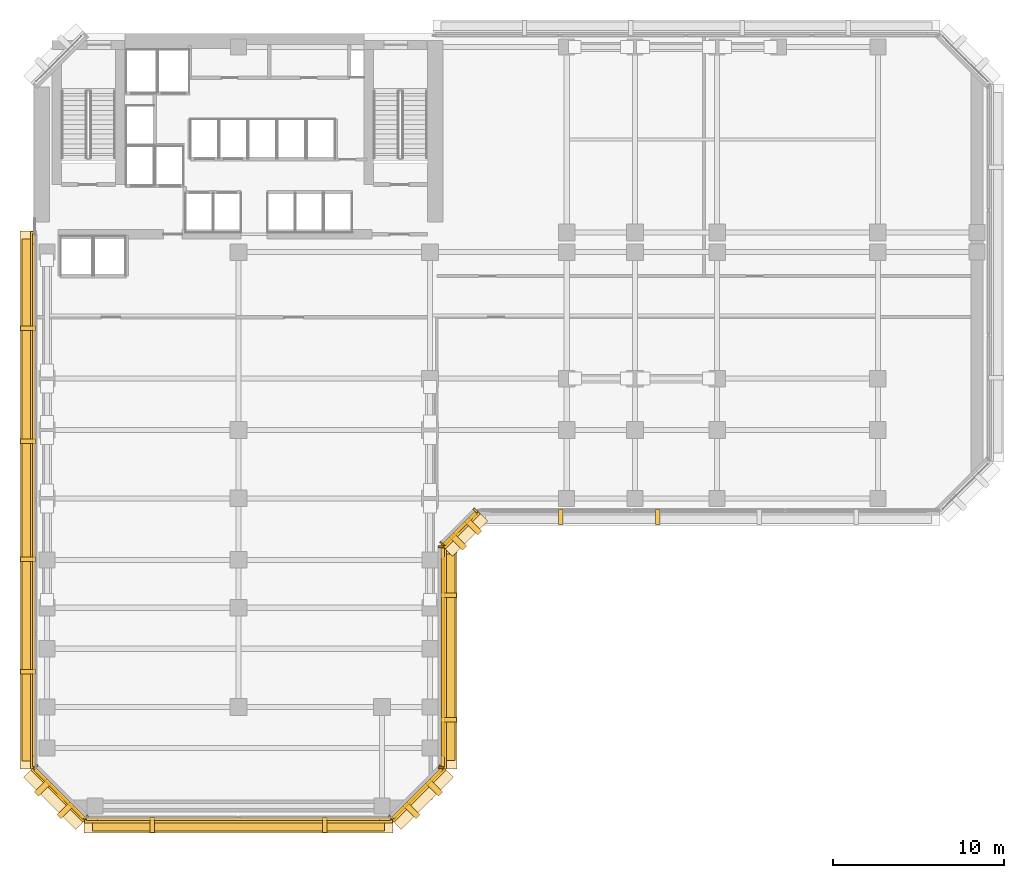
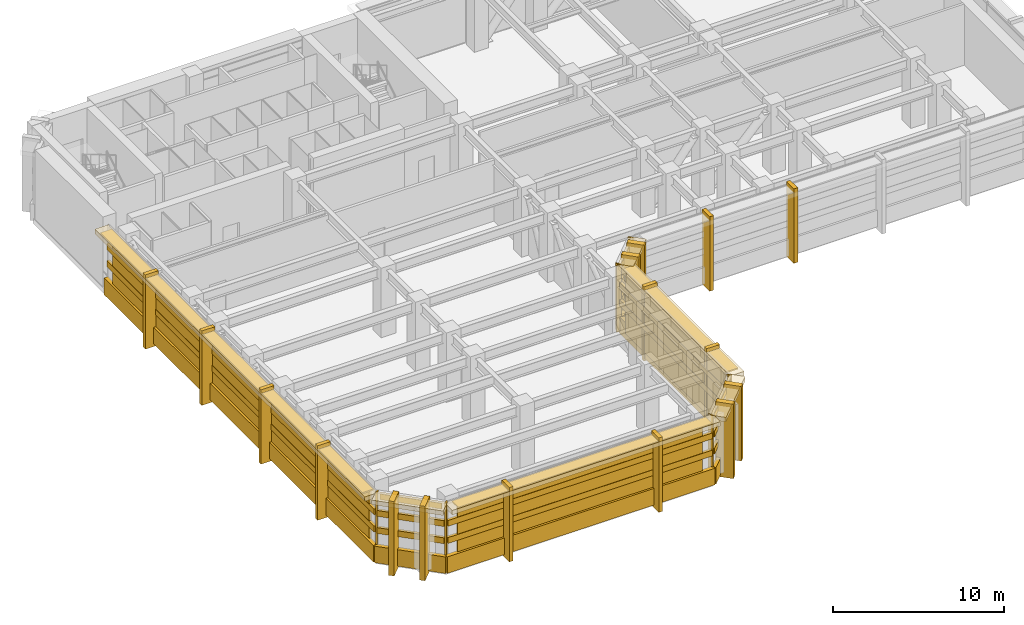
# One storey, part 9 of 13: 52 coverings, 6 shading devices.
"""IFC4 building model written with IfcOpenShell, lengths in metres."""

from ifc_helpers import new_model, si_unit, direction, frame, origin, origin_2d, place, context, subcontext, project, spatial, rectangle, extrude, material, layer, layer_set, type_object, element, save


model = new_model("IFC4")

# Units and contexts
model_context = context("Model", 3, precision=1e-05, world=origin(), true_north=direction((0.0, 1.0)))
body_context = subcontext(model_context, "Body", "Model", "MODEL_VIEW")
ifc_project = project(units=[si_unit("LENGTHUNIT", "METRE"), si_unit("AREAUNIT", "SQUARE_METRE"), si_unit("VOLUMEUNIT", "CUBIC_METRE"), si_unit("PLANEANGLEUNIT", "RADIAN"), si_unit("MASSUNIT", "GRAM", prefix="KILO")], contexts=[model_context])

# Site, building, storey
site_placement = place(None, origin())
site = spatial("IfcSite", under=ifc_project, at=site_placement, CompositionType="ELEMENT")
building_placement = place(site_placement, origin())
building = spatial("IfcBuilding", under=site, at=building_placement, Name="Kefirva Bronze Tower", CompositionType="ELEMENT")
storey_placement = place(building_placement, frame((0.0, 0.0, 93.719970703125)))
storey = spatial("IfcBuildingStorey", under=building, at=storey_placement, Name="L22", CompositionType="ELEMENT", Elevation=93.719970703125)

# Coverings
ifc_material = material(Name="Bronze anodised aluminium", Category="aluminium")
ifc_layer_1 = layer(ifc_material, 0.02001953125, Name="Bronze anodised aluminium")
ifc_layer_set_1 = layer_set([ifc_layer_1], Name="Bronze anodised aluminium")
covering_type_1 = type_object("IfcCoveringType", Name="Anodised Bronze Spandrel Cladding 20mm", PredefinedType="CLADDING", material=ifc_layer_set_1)
covering_1_placement = place(storey_placement, frame((12.0, -0.0400390625, -0.16015625), z_axis=(0.0, 0.0, 1.0), x_axis=(1.0, 0.0, 0.0)))
element("IfcCovering", 1, at=covering_1_placement, inside=storey, type_object=covering_type_1, Name="L22 Streamline Horizontal Spandrel Band 0", PredefinedType="CLADDING", context=body_context, shape_type="SweptSolid", body=[
    extrude(rectangle(XDim=18.0400390625, YDim=0.280029296875, at=origin_2d()), origin(), (0.0, 0.0, 1.0), 1.179931640625),
])
for number, where, z_axis, x_axis, name in (
    (2, (12.0, 0.0400390625, 1.858154296875), (0.0, 0.0, 1.0), (1.0, 0.0, 0.0), "L22 Recessed Zone-Break Bronze Louvre Band 0-1"),
    (3, (12.0, 0.0400390625, 3.080078125), (0.0, 0.0, 1.0), (1.0, 0.0, 0.0), "L22 Recessed Zone-Break Bronze Louvre Band 0-2"),
):
    element("IfcCovering", number, at=place(storey_placement, frame(where, z_axis=z_axis, x_axis=x_axis)), inside=storey, type_object=covering_type_1, Name=name, PredefinedType="CLADDING", context=body_context, shape_type="SweptSolid", body=[
        extrude(rectangle(XDim=17.800048828125, YDim=0.199951171875, at=origin_2d()), origin(), (0.0, 0.0, 1.0), 0.419921875),
    ])
covering_2_placement = place(storey_placement, frame((22.507080078125, 1.492919921875, 4.280029296875), z_axis=(0.0, 0.0, 1.0), x_axis=(0.707106781187, 0.707106781187, 0.0)))
element("IfcCovering", 4, at=covering_2_placement, inside=storey, type_object=covering_type_1, Name="L22 Bronze Spandrel Cladding 1", PredefinedType="CLADDING", context=body_context, shape_type="SweptSolid", body=[
    extrude(rectangle(XDim=3.719482421875, YDim=0.02001953125, at=origin_2d()), origin(), (0.0, 0.0, 1.0), 0.39990234375),
])
for number, where, z_axis, x_axis, name in (
    (5, (20.91162109375, 0.137939453125, 0.0), (0.0, 0.0, 1.0), (0.707106781187, 0.707106781187, 0.0), "L22 Facade Joint Closure Panel 1S"),
    (6, (23.862060546875, 3.08837890625, 0.0), (0.0, 0.0, 1.0), (0.707106781187, 0.707106781187, 0.0), "L22 Facade Joint Closure Panel 1E"),
):
    element("IfcCovering", number, at=place(storey_placement, frame(where, z_axis=z_axis, x_axis=x_axis)), inside=storey, type_object=covering_type_1, Name=name, PredefinedType="CLADDING", context=body_context, shape_type="SweptSolid", body=[
        extrude(rectangle(XDim=0.10009765625, YDim=0.320068359375, at=origin_2d()), origin(), (0.0, 0.0, 1.0), 4.699951171875),
    ])
covering_3_placement = place(storey_placement, frame((22.5283203125, 1.4716796875, -0.16015625), z_axis=(0.0, 0.0, 1.0), x_axis=(0.707106781187, 0.707106781187, 0.0)))
element("IfcCovering", 7, at=covering_3_placement, inside=storey, type_object=covering_type_1, Name="L22 Streamline Horizontal Spandrel Band 1", PredefinedType="CLADDING", context=body_context, shape_type="SweptSolid", body=[
    extrude(rectangle(XDim=4.28271484375, YDim=0.280029296875, at=origin_2d()), origin(), (0.0, 0.0, 1.0), 1.179931640625),
])
for number, where, z_axis, x_axis, name in (
    (8, (22.4716796875, 1.5283203125, 1.858154296875), (0.0, 0.0, 1.0), (0.707106781187, 0.707106781187, 0.0), "L22 Recessed Zone-Break Bronze Louvre Band 1-1"),
    (9, (22.4716796875, 1.5283203125, 3.080078125), (0.0, 0.0, 1.0), (0.707106781187, 0.707106781187, 0.0), "L22 Recessed Zone-Break Bronze Louvre Band 1-2"),
):
    element("IfcCovering", number, at=place(storey_placement, frame(where, z_axis=z_axis, x_axis=x_axis)), inside=storey, type_object=covering_type_1, Name=name, PredefinedType="CLADDING", context=body_context, shape_type="SweptSolid", body=[
        extrude(rectangle(XDim=4.04248046875, YDim=0.199951171875, at=origin_2d()), origin(), (0.0, 0.0, 1.0), 0.419921875),
    ])
covering_4_placement = place(storey_placement, frame((24.010009765625, 9.5, 4.280029296875), z_axis=(0.0, 0.0, 1.0), x_axis=(0.0, 1.0, 0.0)))
element("IfcCovering", 10, at=covering_4_placement, inside=storey, type_object=covering_type_1, Name="L22 Bronze Spandrel Cladding 2", PredefinedType="CLADDING", context=body_context, shape_type="SweptSolid", body=[
    extrude(rectangle(XDim=11.60107421875, YDim=0.02001953125, at=origin_2d()), origin(), (0.0, 0.0, 1.0), 0.39990234375),
])
for number, where, z_axis, x_axis, name in (
    (11, (23.840087890625, 3.034912109375, 0.0), (0.0, 0.0, 1.0), (0.0, 1.0, 0.0), "L22 Facade Joint Closure Panel 2S"),
    (12, (23.840087890625, 15.965087890625, 0.0), (0.0, 0.0, 1.0), (0.0, 1.0, 0.0), "L22 Facade Joint Closure Panel 2E"),
):
    element("IfcCovering", number, at=place(storey_placement, frame(where, z_axis=z_axis, x_axis=x_axis)), inside=storey, type_object=covering_type_1, Name=name, PredefinedType="CLADDING", context=body_context, shape_type="SweptSolid", body=[
        extrude(rectangle(XDim=0.10009765625, YDim=0.320068359375, at=origin_2d()), origin(), (0.0, 0.0, 1.0), 4.699951171875),
    ])
covering_5_placement = place(storey_placement, frame((24.0400390625, 9.5, -0.16015625), z_axis=(0.0, 0.0, 1.0), x_axis=(0.0, 1.0, 0.0)))
element("IfcCovering", 13, at=covering_5_placement, inside=storey, type_object=covering_type_1, Name="L22 Streamline Horizontal Spandrel Band 2", PredefinedType="CLADDING", context=body_context, shape_type="SweptSolid", body=[
    extrude(rectangle(XDim=13.0400390625, YDim=0.280029296875, at=origin_2d()), origin(), (0.0, 0.0, 1.0), 1.179931640625),
])
for number, where, z_axis, x_axis, name in (
    (14, (23.9599609375, 9.5, 1.858154296875), (0.0, 0.0, 1.0), (0.0, 1.0, 0.0), "L22 Recessed Zone-Break Bronze Louvre Band 2-1"),
    (15, (23.9599609375, 9.5, 3.080078125), (0.0, 0.0, 1.0), (0.0, 1.0, 0.0), "L22 Recessed Zone-Break Bronze Louvre Band 2-2"),
):
    element("IfcCovering", number, at=place(storey_placement, frame(where, z_axis=z_axis, x_axis=x_axis)), inside=storey, type_object=covering_type_1, Name=name, PredefinedType="CLADDING", context=body_context, shape_type="SweptSolid", body=[
        extrude(rectangle(XDim=12.800048828125, YDim=0.199951171875, at=origin_2d()), origin(), (0.0, 0.0, 1.0), 0.419921875),
    ])
covering_6_placement = place(storey_placement, frame((25.007080078125, 16.992919921875, 4.280029296875), z_axis=(0.0, 0.0, 1.0), x_axis=(0.707106781187, 0.707106781187, 0.0)))
element("IfcCovering", 16, at=covering_6_placement, inside=storey, type_object=covering_type_1, Name="L22 Bronze Spandrel Cladding 3", PredefinedType="CLADDING", context=body_context, shape_type="SweptSolid", body=[
    extrude(rectangle(XDim=2.446533203125, YDim=0.02001953125, at=origin_2d()), origin(), (0.0, 0.0, 1.0), 0.39990234375),
])
for number, where, z_axis, x_axis, name in (
    (17, (23.91162109375, 16.137939453125, 0.0), (0.0, 0.0, 1.0), (0.707106781187, 0.707106781187, 0.0), "L22 Facade Joint Closure Panel 3S"),
    (18, (25.862060546875, 18.08837890625, 0.0), (0.0, 0.0, 1.0), (0.707106781187, 0.707106781187, 0.0), "L22 Facade Joint Closure Panel 3E"),
):
    element("IfcCovering", number, at=place(storey_placement, frame(where, z_axis=z_axis, x_axis=x_axis)), inside=storey, type_object=covering_type_1, Name=name, PredefinedType="CLADDING", context=body_context, shape_type="SweptSolid", body=[
        extrude(rectangle(XDim=0.10009765625, YDim=0.320068359375, at=origin_2d()), origin(), (0.0, 0.0, 1.0), 4.699951171875),
    ])
covering_7_placement = place(storey_placement, frame((25.0283203125, 16.9716796875, -0.16015625), z_axis=(0.0, 0.0, 1.0), x_axis=(0.707106781187, 0.707106781187, 0.0)))
element("IfcCovering", 19, at=covering_7_placement, inside=storey, type_object=covering_type_1, Name="L22 Streamline Horizontal Spandrel Band 3", PredefinedType="CLADDING", context=body_context, shape_type="SweptSolid", body=[
    extrude(rectangle(XDim=2.868408203125, YDim=0.280029296875, at=origin_2d()), origin(), (0.0, 0.0, 1.0), 1.179931640625),
])
for number, where, z_axis, x_axis, name in (
    (20, (24.9716796875, 17.0283203125, 1.858154296875), (0.0, 0.0, 1.0), (0.707106781187, 0.707106781187, 0.0), "L22 Recessed Zone-Break Bronze Louvre Band 3-1"),
    (21, (24.9716796875, 17.0283203125, 3.080078125), (0.0, 0.0, 1.0), (0.707106781187, 0.707106781187, 0.0), "L22 Recessed Zone-Break Bronze Louvre Band 3-2"),
):
    element("IfcCovering", number, at=place(storey_placement, frame(where, z_axis=z_axis, x_axis=x_axis)), inside=storey, type_object=covering_type_1, Name=name, PredefinedType="CLADDING", context=body_context, shape_type="SweptSolid", body=[
        extrude(rectangle(XDim=2.62841796875, YDim=0.199951171875, at=origin_2d()), origin(), (0.0, 0.0, 1.0), 0.419921875),
    ])
covering_8_placement = place(storey_placement, frame((-0.0400390625, 18.697509765625, -0.16015625), z_axis=(0.0, 0.0, 1.0), x_axis=(0.0, -1.0, 0.0)))
element("IfcCovering", 22, at=covering_8_placement, inside=storey, type_object=covering_type_1, Name="L22 Streamline Horizontal Spandrel Band 10", PredefinedType="CLADDING", context=body_context, shape_type="SweptSolid", body=[
    extrude(rectangle(XDim=31.43505859375, YDim=0.280029296875, at=origin_2d()), origin(), (0.0, 0.0, 1.0), 1.179931640625),
])
for number, where, z_axis, x_axis, name in (
    (23, (0.0400390625, 18.697509765625, 1.858154296875), (0.0, 0.0, 1.0), (0.0, -1.0, 0.0), "L22 Recessed Zone-Break Bronze Louvre Band 10-1"),
    (24, (0.0400390625, 18.697509765625, 3.080078125), (0.0, 0.0, 1.0), (0.0, -1.0, 0.0), "L22 Recessed Zone-Break Bronze Louvre Band 10-2"),
):
    element("IfcCovering", number, at=place(storey_placement, frame(where, z_axis=z_axis, x_axis=x_axis)), inside=storey, type_object=covering_type_1, Name=name, PredefinedType="CLADDING", context=body_context, shape_type="SweptSolid", body=[
        extrude(rectangle(XDim=31.195068359375, YDim=0.199951171875, at=origin_2d()), origin(), (0.0, 0.0, 1.0), 0.419921875),
    ])
covering_9_placement = place(storey_placement, frame((1.492919921875, 1.492919921875, 4.280029296875), z_axis=(0.0, 0.0, 1.0), x_axis=(0.707106781187, -0.707106781187, 0.0)))
element("IfcCovering", 25, at=covering_9_placement, inside=storey, type_object=covering_type_1, Name="L22 Bronze Spandrel Cladding 7", PredefinedType="CLADDING", context=body_context, shape_type="SweptSolid", body=[
    extrude(rectangle(XDim=3.719482421875, YDim=0.02001953125, at=origin_2d()), origin(), (0.0, 0.0, 1.0), 0.39990234375),
])
for number, where, z_axis, x_axis, name in (
    (26, (0.137939453125, 3.08837890625, 0.0), (0.0, 0.0, 1.0), (0.707106781187, -0.707106781187, 0.0), "L22 Facade Joint Closure Panel 7S"),
    (27, (3.08837890625, 0.137939453125, 0.0), (0.0, 0.0, 1.0), (0.707106781187, -0.707106781187, 0.0), "L22 Facade Joint Closure Panel 7E"),
):
    element("IfcCovering", number, at=place(storey_placement, frame(where, z_axis=z_axis, x_axis=x_axis)), inside=storey, type_object=covering_type_1, Name=name, PredefinedType="CLADDING", context=body_context, shape_type="SweptSolid", body=[
        extrude(rectangle(XDim=0.10009765625, YDim=0.320068359375, at=origin_2d()), origin(), (0.0, 0.0, 1.0), 4.699951171875),
    ])
covering_10_placement = place(storey_placement, frame((1.4716796875, 1.4716796875, -0.16015625), z_axis=(0.0, 0.0, 1.0), x_axis=(0.707106781187, -0.707106781187, 0.0)))
element("IfcCovering", 28, at=covering_10_placement, inside=storey, type_object=covering_type_1, Name="L22 Streamline Horizontal Spandrel Band 11", PredefinedType="CLADDING", context=body_context, shape_type="SweptSolid", body=[
    extrude(rectangle(XDim=4.28271484375, YDim=0.280029296875, at=origin_2d()), origin(), (0.0, 0.0, 1.0), 1.179931640625),
])
for number, where, z_axis, x_axis, name in (
    (29, (1.5283203125, 1.5283203125, 1.858154296875), (0.0, 0.0, 1.0), (0.707106781187, -0.707106781187, 0.0), "L22 Recessed Zone-Break Bronze Louvre Band 11-1"),
    (30, (1.5283203125, 1.5283203125, 3.080078125), (0.0, 0.0, 1.0), (0.707106781187, -0.707106781187, 0.0), "L22 Recessed Zone-Break Bronze Louvre Band 11-2"),
):
    element("IfcCovering", number, at=place(storey_placement, frame(where, z_axis=z_axis, x_axis=x_axis)), inside=storey, type_object=covering_type_1, Name=name, PredefinedType="CLADDING", context=body_context, shape_type="SweptSolid", body=[
        extrude(rectangle(XDim=4.04248046875, YDim=0.199951171875, at=origin_2d()), origin(), (0.0, 0.0, 1.0), 0.419921875),
    ])

# Shading devices
ifc_layer_2 = layer(ifc_material, 0.090087890625, Name="Bronze anodised aluminium")
ifc_layer_set_2 = layer_set([ifc_layer_2], Name="Bronze anodised aluminium")
shading_device_type_1 = type_object("IfcShadingDeviceType", Name="Horizontal Bronze Sunshade Band 750mm", PredefinedType="JALOUSIE", material=ifc_layer_set_2)
shading_device_1_placement = place(storey_placement, frame((12.0, -0.294921875, 4.59521484375), z_axis=(0.0, 0.0, 1.0), x_axis=(1.0, 0.0, 0.0)))
element("IfcShadingDevice", 31, at=shading_device_1_placement, inside=storey, type_object=shading_device_type_1, Name="L22 Horizontal Bronze Sunshade Band 0", PredefinedType="JALOUSIE", context=body_context, shape_type="SweptSolid", body=[
    extrude(rectangle(XDim=17.090087890625, YDim=0.75, at=origin_2d()), origin(), (0.0, 0.0, 1.0), 0.090087890625),
])
shading_device_2_placement = place(storey_placement, frame((24.294921875, 9.5, 4.59521484375), z_axis=(0.0, 0.0, 1.0), x_axis=(0.0, 1.0, 0.0)))
element("IfcShadingDevice", 32, at=shading_device_2_placement, inside=storey, type_object=shading_device_type_1, Name="L22 Horizontal Bronze Sunshade Band 2", PredefinedType="JALOUSIE", context=body_context, shape_type="SweptSolid", body=[
    extrude(rectangle(XDim=12.090087890625, YDim=0.75, at=origin_2d()), origin(), (0.0, 0.0, 1.0), 0.090087890625),
])
shading_device_3_placement = place(storey_placement, frame((-0.294921875, 18.697509765625, 4.59521484375), z_axis=(0.0, 0.0, 1.0), x_axis=(0.0, -1.0, 0.0)))
element("IfcShadingDevice", 33, at=shading_device_3_placement, inside=storey, type_object=shading_device_type_1, Name="L22 Horizontal Bronze Sunshade Band 10", PredefinedType="JALOUSIE", context=body_context, shape_type="SweptSolid", body=[
    extrude(rectangle(XDim=30.5400390625, YDim=0.75, at=origin_2d()), origin(), (0.0, 0.0, 1.0), 0.090087890625),
])
ifc_layer_3 = layer(ifc_material, 0.159912109375, Name="Bronze anodised aluminium")
ifc_layer_set_3 = layer_set([ifc_layer_3], Name="Bronze anodised aluminium")
shading_device_type_2 = type_object("IfcShadingDeviceType", Name="Recessed Zone-Break Acoustic Louvre Screen", PredefinedType="SHUTTER", material=ifc_layer_set_3)
shading_device_4_placement = place(storey_placement, frame((12.0, 0.0400390625, 0.25), z_axis=(0.0, 0.0, 1.0), x_axis=(1.0, 0.0, 0.0)))
element("IfcShadingDevice", 34, at=shading_device_4_placement, inside=storey, type_object=shading_device_type_2, Name="L22 Acoustic Plant Louvre Screen 0", PredefinedType="SHUTTER", context=body_context, shape_type="SweptSolid", body=[
    extrude(rectangle(XDim=16.489990234375, YDim=0.159912109375, at=origin_2d()), origin(), (0.0, 0.0, 1.0), 4.199951171875),
])
shading_device_5_placement = place(storey_placement, frame((23.9599609375, 9.5, 0.25), z_axis=(0.0, 0.0, 1.0), x_axis=(0.0, 1.0, 0.0)))
element("IfcShadingDevice", 35, at=shading_device_5_placement, inside=storey, type_object=shading_device_type_2, Name="L22 Acoustic Plant Louvre Screen 2", PredefinedType="SHUTTER", context=body_context, shape_type="SweptSolid", body=[
    extrude(rectangle(XDim=11.489990234375, YDim=0.159912109375, at=origin_2d()), origin(), (0.0, 0.0, 1.0), 4.199951171875),
])
shading_device_6_placement = place(storey_placement, frame((0.0400390625, 18.697509765625, 0.25), z_axis=(0.0, 0.0, 1.0), x_axis=(0.0, -1.0, 0.0)))
element("IfcShadingDevice", 36, at=shading_device_6_placement, inside=storey, type_object=shading_device_type_2, Name="L22 Acoustic Plant Louvre Screen 10", PredefinedType="SHUTTER", context=body_context, shape_type="SweptSolid", body=[
    extrude(rectangle(XDim=29.93994140625, YDim=0.159912109375, at=origin_2d()), origin(), (0.0, 0.0, 1.0), 4.199951171875),
])

# Coverings
ifc_layer_4 = layer(ifc_material, 0.179931640625, Name="Bronze anodised aluminium")
ifc_layer_set_4 = layer_set([ifc_layer_4], Name="Bronze anodised aluminium")
covering_type_2 = type_object("IfcCoveringType", Name="Streamline Bronze Sunshade Eyebrow Cladding 180mm", PredefinedType="CLADDING", material=ifc_layer_set_4)
covering_11_placement = place(storey_placement, frame((12.0, -0.31005859375, 4.3798828125), z_axis=(0.0, 0.0, 1.0), x_axis=(1.0, 0.0, 0.0)))
element("IfcCovering", 37, at=covering_11_placement, inside=storey, type_object=covering_type_2, Name="L22 Streamline Bronze Sunshade Eyebrow 0", PredefinedType="CLADDING", context=body_context, shape_type="SweptSolid", body=[
    extrude(rectangle(XDim=18.080078125, YDim=0.93994140625, at=origin_2d()), origin(), (0.0, 0.0, 1.0), 0.320068359375),
])
covering_12_placement = place(storey_placement, frame((22.71923828125, 1.28076171875, 4.3798828125), z_axis=(0.0, 0.0, 1.0), x_axis=(0.707106781187, 0.707106781187, 0.0)))
element("IfcCovering", 38, at=covering_12_placement, inside=storey, type_object=covering_type_2, Name="L22 Streamline Bronze Sunshade Eyebrow 1", PredefinedType="CLADDING", context=body_context, shape_type="SweptSolid", body=[
    extrude(rectangle(XDim=4.322509765625, YDim=0.93994140625, at=origin_2d()), origin(), (0.0, 0.0, 1.0), 0.320068359375),
])
covering_13_placement = place(storey_placement, frame((24.31005859375, 9.5, 4.3798828125), z_axis=(0.0, 0.0, 1.0), x_axis=(0.0, 1.0, 0.0)))
element("IfcCovering", 39, at=covering_13_placement, inside=storey, type_object=covering_type_2, Name="L22 Streamline Bronze Sunshade Eyebrow 2", PredefinedType="CLADDING", context=body_context, shape_type="SweptSolid", body=[
    extrude(rectangle(XDim=13.080078125, YDim=0.93994140625, at=origin_2d()), origin(), (0.0, 0.0, 1.0), 0.320068359375),
])
covering_14_placement = place(storey_placement, frame((25.21923828125, 16.78076171875, 4.3798828125), z_axis=(0.0, 0.0, 1.0), x_axis=(0.707106781187, 0.707106781187, 0.0)))
element("IfcCovering", 40, at=covering_14_placement, inside=storey, type_object=covering_type_2, Name="L22 Streamline Bronze Sunshade Eyebrow 3", PredefinedType="CLADDING", context=body_context, shape_type="SweptSolid", body=[
    extrude(rectangle(XDim=2.908447265625, YDim=0.93994140625, at=origin_2d()), origin(), (0.0, 0.0, 1.0), 0.320068359375),
])
covering_15_placement = place(storey_placement, frame((-0.31005859375, 18.697509765625, 4.3798828125), z_axis=(0.0, 0.0, 1.0), x_axis=(0.0, -1.0, 0.0)))
element("IfcCovering", 41, at=covering_15_placement, inside=storey, type_object=covering_type_2, Name="L22 Streamline Bronze Sunshade Eyebrow 10", PredefinedType="CLADDING", context=body_context, shape_type="SweptSolid", body=[
    extrude(rectangle(XDim=31.47509765625, YDim=0.93994140625, at=origin_2d()), origin(), (0.0, 0.0, 1.0), 0.320068359375),
])
covering_16_placement = place(storey_placement, frame((1.28076171875, 1.28076171875, 4.3798828125), z_axis=(0.0, 0.0, 1.0), x_axis=(0.707106781187, -0.707106781187, 0.0)))
element("IfcCovering", 42, at=covering_16_placement, inside=storey, type_object=covering_type_2, Name="L22 Streamline Bronze Sunshade Eyebrow 11", PredefinedType="CLADDING", context=body_context, shape_type="SweptSolid", body=[
    extrude(rectangle(XDim=4.322509765625, YDim=0.93994140625, at=origin_2d()), origin(), (0.0, 0.0, 1.0), 0.320068359375),
])
ifc_layer_5 = layer(ifc_material, 0.260009765625, Name="Bronze anodised aluminium")
ifc_layer_set_5 = layer_set([ifc_layer_5], Name="Bronze anodised aluminium")
covering_type_3 = type_object("IfcCoveringType", Name="Unbroken Bronze Buttress Fin Cladding 260mm", PredefinedType="CLADDING", material=ifc_layer_set_5)
for number, where, z_axis, x_axis, name in (
    (43, (6.9599609375, -0.300048828125, -0.35009765625), (0.0, 0.0, 1.0), (1.0, 0.0, 0.0), "L22 Unbroken Vertical Bronze Rib Fin 1"),
    (44, (17.0400390625, -0.300048828125, -0.35009765625), (0.0, 0.0, 1.0), (1.0, 0.0, 0.0), "L22 Unbroken Vertical Bronze Rib Fin 2"),
):
    element("IfcCovering", number, at=place(storey_placement, frame(where, z_axis=z_axis, x_axis=x_axis)), inside=storey, type_object=covering_type_3, Name=name, PredefinedType="CLADDING", context=body_context, shape_type="SweptSolid", body=[
        extrude(rectangle(XDim=0.260009765625, YDim=0.8798828125, at=origin_2d()), origin(), (0.0, 0.0, 1.0), 5.300048828125),
    ])
for number, where, z_axis, x_axis, name in (
    (45, (22.122802734375, 0.55712890625, -0.35009765625), (0.0, 0.0, 1.0), (0.707106781187, 0.707106781187, 0.0), "L22 Chamfered Corner Buttress Fin Cladding 3"),
    (46, (23.44287109375, 1.877197265625, -0.35009765625), (0.0, 0.0, 1.0), (0.707106781187, 0.707106781187, 0.0), "L22 Chamfered Corner Buttress Fin Cladding 4"),
):
    element("IfcCovering", number, at=place(storey_placement, frame(where, z_axis=z_axis, x_axis=x_axis)), inside=storey, type_object=covering_type_3, Name=name, PredefinedType="CLADDING", context=body_context, shape_type="SweptSolid", body=[
        extrude(rectangle(XDim=0.340087890625, YDim=1.080078125, at=origin_2d()), origin(), (0.0, 0.0, 1.0), 5.300048828125),
    ])
for number, where, z_axis, x_axis, name in (
    (47, (24.300048828125, 5.860107421875, -0.35009765625), (0.0, 0.0, 1.0), (0.0, 1.0, 0.0), "L22 Unbroken Vertical Bronze Rib Fin 5"),
    (48, (24.300048828125, 13.139892578125, -0.35009765625), (0.0, 0.0, 1.0), (0.0, 1.0, 0.0), "L22 Unbroken Vertical Bronze Rib Fin 6"),
):
    element("IfcCovering", number, at=place(storey_placement, frame(where, z_axis=z_axis, x_axis=x_axis)), inside=storey, type_object=covering_type_3, Name=name, PredefinedType="CLADDING", context=body_context, shape_type="SweptSolid", body=[
        extrude(rectangle(XDim=0.260009765625, YDim=0.8798828125, at=origin_2d()), origin(), (0.0, 0.0, 1.0), 5.300048828125),
    ])
for number, where, z_axis, x_axis, name in (
    (49, (24.8427734375, 16.277099609375, -0.35009765625), (0.0, 0.0, 1.0), (0.707106781187, 0.707106781187, 0.0), "L22 Chamfered Corner Buttress Fin Cladding 7"),
    (50, (25.722900390625, 17.1572265625, -0.35009765625), (0.0, 0.0, 1.0), (0.707106781187, 0.707106781187, 0.0), "L22 Chamfered Corner Buttress Fin Cladding 8"),
):
    element("IfcCovering", number, at=place(storey_placement, frame(where, z_axis=z_axis, x_axis=x_axis)), inside=storey, type_object=covering_type_3, Name=name, PredefinedType="CLADDING", context=body_context, shape_type="SweptSolid", body=[
        extrude(rectangle(XDim=0.340087890625, YDim=1.080078125, at=origin_2d()), origin(), (0.0, 0.0, 1.0), 5.300048828125),
    ])
for number, where, z_axis, x_axis, name in (
    (51, (30.860107421875, 17.699951171875, -0.35009765625), (0.0, 0.0, 1.0), (1.0, 0.0, 0.0), "L22 Unbroken Vertical Bronze Rib Fin 9"),
    (52, (36.530029296875, 17.699951171875, -0.35009765625), (0.0, 0.0, 1.0), (1.0, 0.0, 0.0), "L22 Unbroken Vertical Bronze Rib Fin 10"),
    (53, (-0.300048828125, 28.743896484375, -0.35009765625), (0.0, 0.0, 1.0), (0.0, -1.0, 0.0), "L22 Unbroken Vertical Bronze Rib Fin 25"),
    (54, (-0.300048828125, 22.15087890625, -0.35009765625), (0.0, 0.0, 1.0), (0.0, -1.0, 0.0), "L22 Unbroken Vertical Bronze Rib Fin 26"),
    (55, (-0.300048828125, 15.244140625, -0.35009765625), (0.0, 0.0, 1.0), (0.0, -1.0, 0.0), "L22 Unbroken Vertical Bronze Rib Fin 27"),
    (56, (-0.300048828125, 8.651123046875, -0.35009765625), (0.0, 0.0, 1.0), (0.0, -1.0, 0.0), "L22 Unbroken Vertical Bronze Rib Fin 28"),
):
    element("IfcCovering", number, at=place(storey_placement, frame(where, z_axis=z_axis, x_axis=x_axis)), inside=storey, type_object=covering_type_3, Name=name, PredefinedType="CLADDING", context=body_context, shape_type="SweptSolid", body=[
        extrude(rectangle(XDim=0.260009765625, YDim=0.8798828125, at=origin_2d()), origin(), (0.0, 0.0, 1.0), 5.300048828125),
    ])
for number, where, z_axis, x_axis, name in (
    (57, (0.55712890625, 1.877197265625, -0.35009765625), (0.0, 0.0, 1.0), (0.707106781187, -0.707106781187, 0.0), "L22 Chamfered Corner Buttress Fin Cladding 29"),
    (58, (1.877197265625, 0.55712890625, -0.35009765625), (0.0, 0.0, 1.0), (0.707106781187, -0.707106781187, 0.0), "L22 Chamfered Corner Buttress Fin Cladding 30"),
):
    element("IfcCovering", number, at=place(storey_placement, frame(where, z_axis=z_axis, x_axis=x_axis)), inside=storey, type_object=covering_type_3, Name=name, PredefinedType="CLADDING", context=body_context, shape_type="SweptSolid", body=[
        extrude(rectangle(XDim=0.340087890625, YDim=1.080078125, at=origin_2d()), origin(), (0.0, 0.0, 1.0), 5.300048828125),
    ])

save(model, "model.ifc")
